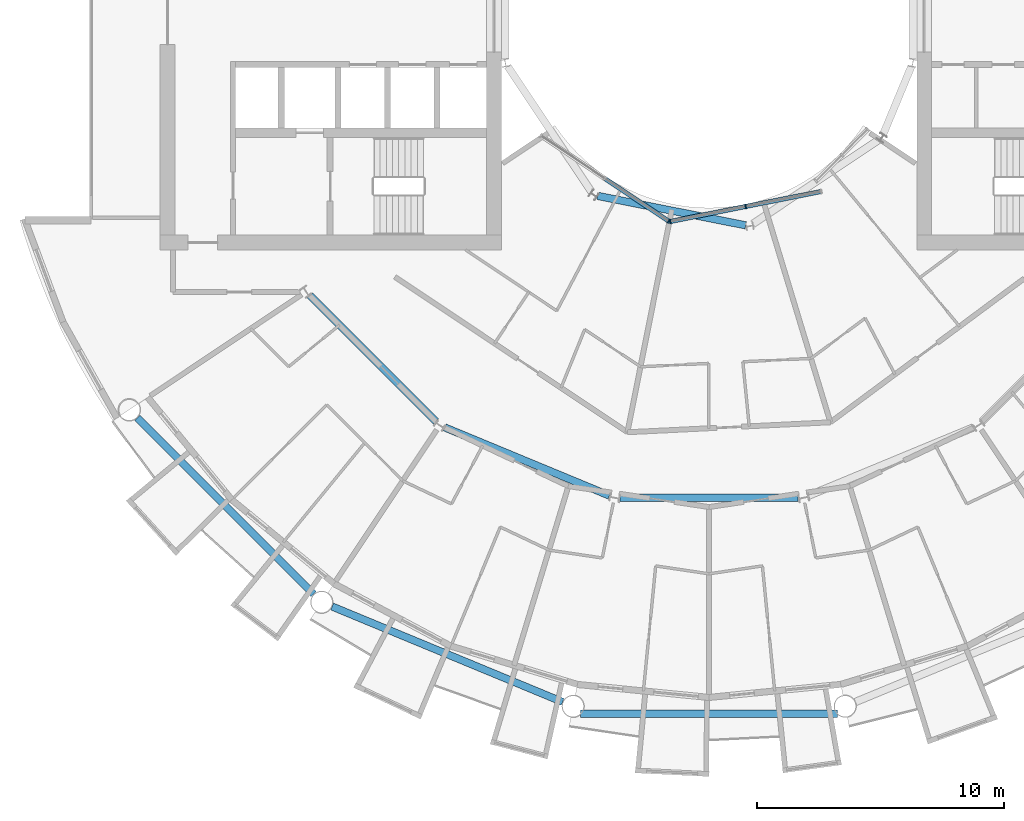
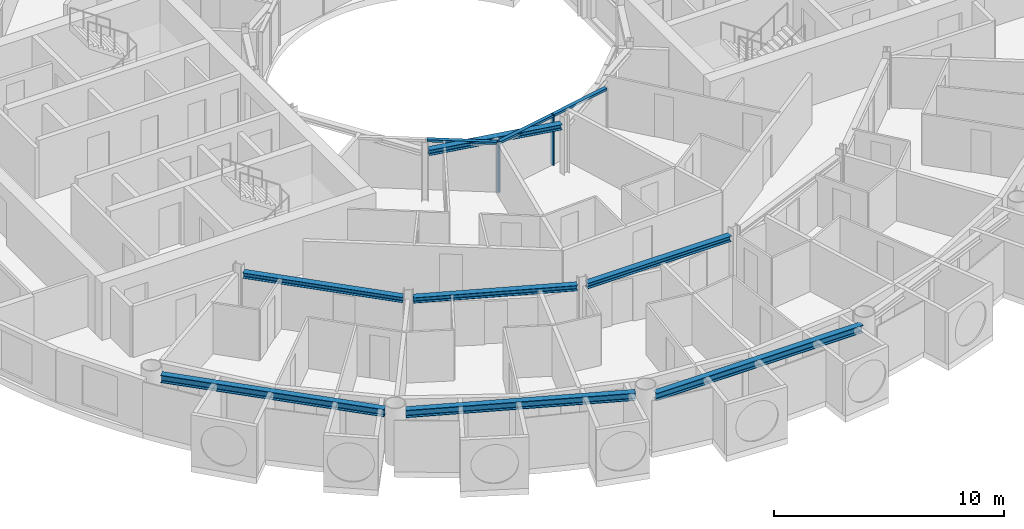
# One storey, part 5 of 26: 7 beams, 6 members, 2 elements without a shape of their own.
"""IFC4 building model written with IfcOpenShell, lengths in metres."""

from ifc_helpers import new_model, si_unit, direction, frame, origin, origin_2d, place, context, subcontext, project, spatial, rectangle, i_section, extrude, material, layer, layer_set, material_profile, profile_set, type_object, element, aggregate, save


model = new_model("IFC4")

# Units and contexts
model_context = context("Model", 3, precision=1e-05, world=origin(), true_north=direction((0.0, 1.0)))
body_context = subcontext(model_context, "Body", "Model", "MODEL_VIEW")
ifc_project = project(units=[si_unit("LENGTHUNIT", "METRE"), si_unit("AREAUNIT", "SQUARE_METRE"), si_unit("VOLUMEUNIT", "CUBIC_METRE"), si_unit("PLANEANGLEUNIT", "RADIAN"), si_unit("MASSUNIT", "GRAM", prefix="KILO")], contexts=[model_context])

# Site, building, storey
site_placement = place(None, origin())
site = spatial("IfcSite", under=ifc_project, at=site_placement, CompositionType="ELEMENT")
building_placement = place(site_placement, origin())
building = spatial("IfcBuilding", under=site, at=building_placement, Name="Maasbend Ring Residences", CompositionType="ELEMENT")
storey_placement = place(building_placement, frame((0.0, 0.0, 123.85009765625)))
storey = spatial("IfcBuildingStorey", under=building, at=storey_placement, Name="L35", CompositionType="ELEMENT", Elevation=123.85009765625)

# Curtain wall, member
ifc_material_1 = material(Name="Aluminium and clear glass", Category="aluminium")
ifc_layer = layer(ifc_material_1, 0.179931640625)
ifc_layer_set = layer_set([ifc_layer], Name="CW-W")
curtain_wall_type = type_object("IfcCurtainWallType", Name="CW-W", PredefinedType="NOTDEFINED", material=ifc_layer_set)
curtain_wall_1_placement = place(storey_placement, origin())
curtain_wall_1 = element("IfcCurtainWall", 1, at=curtain_wall_1_placement, inside=storey, type_object=curtain_wall_type, Name="Well curtain wall S1", PredefinedType="NOTDEFINED")
ifc_material_2 = material(Name="Aluminium 6063-T6", Category="aluminium")
ifc_material_profile_1 = material_profile(ifc_material_2, rectangle(XDim=0.179931640625, YDim=0.06005859375, at=origin_2d()), Name="AL 180x60")
ifc_profile_set_1 = profile_set([ifc_material_profile_1], Name="Aluminium 6063-T6")
member_type_1 = type_object("IfcMemberType", Name="CWM-W", PredefinedType="MULLION", material=ifc_profile_set_1)
member_1_placement = place(storey_placement, frame((-1.627685546875, -8.040771484375, 0.0), z_axis=(0.0, 0.0, 1.0), x_axis=(0.55557023302, 0.831469612303, 0.0)))
member_1 = element("IfcMember", 2, at=member_1_placement, type_object=member_type_1, Name="Mullion well face", PredefinedType="MULLION", context=body_context, shape_type="SweptSolid", body=[
    extrude(rectangle(XDim=0.179931640625, YDim=0.06005859375, at=origin_2d()), origin(), (0.0, 0.0, 1.0), 2.699951171875),
])

# Curtain wall, members
curtain_wall_2_placement = place(storey_placement, origin())
curtain_wall_2 = element("IfcCurtainWall", 3, at=curtain_wall_2_placement, inside=storey, type_object=curtain_wall_type, Name="Well curtain wall S2", PredefinedType="NOTDEFINED")
member_2_placement = place(storey_placement, frame((-1.5732421875, -8.0517578125, 0.0), z_axis=(0.0, 0.0, 1.0), x_axis=(-0.195090322016, 0.980785280403, 0.0)))
member_2 = element("IfcMember", 4, at=member_2_placement, type_object=member_type_1, Name="Mullion well face", PredefinedType="MULLION", context=body_context, shape_type="SweptSolid", body=[
    extrude(rectangle(XDim=0.179931640625, YDim=0.06005859375, at=origin_2d()), origin(), (0.0, 0.0, 1.0), 2.699951171875),
])
member_3_placement = place(storey_placement, frame((1.480712890625, -7.444091796875, 0.0), z_axis=(0.0, 0.0, 1.0), x_axis=(-0.195090322016, 0.980785280403, 0.0)))
member_3 = element("IfcMember", 5, at=member_3_placement, type_object=member_type_1, Name="Mullion well face", PredefinedType="MULLION", context=body_context, shape_type="SweptSolid", body=[
    extrude(rectangle(XDim=0.179931640625, YDim=0.06005859375, at=origin_2d()), origin(), (0.0, 0.0, 1.0), 2.699951171875),
])

# Member
ifc_material_3 = material(Name="Aluminium 6063-T6", Category="aluminium")
ifc_material_profile_2 = material_profile(ifc_material_3, rectangle(XDim=0.179931640625, YDim=0.1201171875, at=origin_2d()), Name="AL 180x120")
ifc_profile_set_2 = profile_set([ifc_material_profile_2], Name="Aluminium 6063-T6")
member_type_2 = type_object("IfcMemberType", Name="CWT-W", PredefinedType="USERDEFINED", material=ifc_profile_set_2)
member_4_placement = place(storey_placement, frame((-4.19189453125, -6.32763671875, 2.639892578125), z_axis=(0.831496422459, -0.555530106689, 0.0), x_axis=(0.555530106689, 0.831496422459, 0.0)))
member_4 = element("IfcMember", 6, at=member_4_placement, type_object=member_type_2, Name="Transom well face", ObjectType="TRANSOM", PredefinedType="USERDEFINED", context=body_context, shape_type="SweptSolid", body=[
    extrude(rectangle(XDim=0.179931640625, YDim=0.1201171875, at=origin_2d()), origin(), (0.0, 0.0, 1.0), 3.053955078125),
])

aggregate(curtain_wall_1, [member_1, member_4])

member_5_placement = place(storey_placement, frame((-1.5439453125, -8.0458984375, 2.639892578125), z_axis=(0.980776956105, 0.195132166424, 0.0), x_axis=(-0.195132166424, 0.980776956105, 0.0)))
member_5 = element("IfcMember", 7, at=member_5_placement, type_object=member_type_2, Name="Transom well face", ObjectType="TRANSOM", PredefinedType="USERDEFINED", context=body_context, shape_type="SweptSolid", body=[
    extrude(rectangle(XDim=0.179931640625, YDim=0.1201171875, at=origin_2d()), origin(), (0.0, 0.0, 1.0), 3.053955078125),
])

member_6_placement = place(storey_placement, frame((1.51025390625, -7.438232421875, 2.639892578125), z_axis=(0.980789210404, 0.19507056353, 0.0), x_axis=(-0.19507056353, 0.980789210404, 0.0)))
member_6 = element("IfcMember", 8, at=member_6_placement, type_object=member_type_2, Name="Transom well face", ObjectType="TRANSOM", PredefinedType="USERDEFINED", context=body_context, shape_type="SweptSolid", body=[
    extrude(rectangle(XDim=0.179931640625, YDim=0.1201171875, at=origin_2d()), origin(), (0.0, 0.0, 1.0), 3.0537109375),
])

aggregate(curtain_wall_2, [member_2, member_3, member_5, member_6])

# Beams
ifc_material_4 = material(Name="Steel S355J2", Category="steel")
ifc_material_profile_3 = material_profile(ifc_material_4, i_section(OverallWidth=0.300048828125, OverallDepth=0.2900390625, WebThickness=0.008544921875, FlangeThickness=0.013916015625, FilletRadius=0.027099609375, at=origin_2d()), Name="HEA 300")
ifc_profile_set_3 = profile_set([ifc_material_profile_3], Name="Steel S355J2")
beam_type_1 = type_object("IfcBeamType", Name="Corridor ring beam HEA 300", PredefinedType="BEAM", material=ifc_profile_set_3)
for number, where, z_axis, x_axis, name in (
    (9, (-16.14111328125, -11.044921875, 2.554931640625), (0.707106781187, -0.707106781187, 0.0), (0.707106781187, 0.707106781187, 0.0), "Corridor ring beam"),
    (10, (-10.685791015625, -16.381103515625, 2.554931640625), (0.923877693919, -0.382687871089, 0.0), (0.382687871089, 0.923877693919, 0.0), "Corridor ring beam"),
    (11, (-3.603515625, -19.223388671875, 2.554931640625), (1.0, 0.0, 0.0), (0.0, 1.0, 0.0), "Corridor ring beam"),
):
    element("IfcBeam", number, at=place(storey_placement, frame(where, z_axis=z_axis, x_axis=x_axis)), inside=storey, type_object=beam_type_1, Name=name, PredefinedType="BEAM", context=body_context, shape_type="SweptSolid", body=[
        extrude(i_section(OverallWidth=0.300048828125, OverallDepth=0.2900390625, WebThickness=0.008544921875, FlangeThickness=0.013916015625, FilletRadius=0.027099609375, at=origin_2d()), origin(), (0.0, 0.0, 1.0), 7.20703125),
    ])
ifc_material_5 = material(Name="Steel S355J2", Category="steel")
ifc_material_profile_4 = material_profile(ifc_material_5, i_section(OverallWidth=0.300048828125, OverallDepth=0.39990234375, WebThickness=0.013427734375, FlangeThickness=0.02392578125, FilletRadius=0.027099609375, at=origin_2d()), Name="HEB 400")
ifc_profile_set_4 = profile_set([ifc_material_profile_4], Name="Steel S355J2")
beam_type_2 = type_object("IfcBeamType", Name="Spandrel ring beam HEB 400", PredefinedType="SPANDREL", material=ifc_profile_set_4)
for number, where, z_axis, x_axis, name in (
    (12, (-23.124267578125, -15.990234375, 2.5), (0.707106781187, -0.707106781187, 0.0), (0.707106781187, 0.707106781187, 0.0), "Spandrel ring beam"),
    (13, (-15.244873046875, -23.622314453125, 2.5), (0.92388529709, -0.382669515144, 0.0), (0.382669515144, 0.92388529709, 0.0), "Spandrel ring beam"),
):
    element("IfcBeam", number, at=place(storey_placement, frame(where, z_axis=z_axis, x_axis=x_axis)), inside=storey, type_object=beam_type_2, Name=name, PredefinedType="SPANDREL", context=body_context, shape_type="SweptSolid", body=[
        extrude(i_section(OverallWidth=0.300048828125, OverallDepth=0.39990234375, WebThickness=0.013427734375, FlangeThickness=0.02392578125, FilletRadius=0.027099609375, at=origin_2d()), origin(), (0.0, 0.0, 1.0), 10.089111328125),
    ])
beam_1_placement = place(storey_placement, frame((-5.194580078125, -27.9580078125, 2.5), z_axis=(1.0, 0.0, 0.0), x_axis=(0.0, 1.0, 0.0)))
element("IfcBeam", 14, at=beam_1_placement, inside=storey, type_object=beam_type_2, Name="Spandrel ring beam", PredefinedType="SPANDREL", context=body_context, shape_type="SweptSolid", body=[
    extrude(i_section(OverallWidth=0.300048828125, OverallDepth=0.39990234375, WebThickness=0.013427734375, FlangeThickness=0.02392578125, FilletRadius=0.027099609375, at=origin_2d()), origin(), (0.0, 0.0, 1.0), 10.38916015625),
])
ifc_material_6 = material(Name="Steel S355J2", Category="steel")
ifc_material_profile_5 = material_profile(ifc_material_6, i_section(OverallWidth=0.300048828125, OverallDepth=0.2900390625, WebThickness=0.008544921875, FlangeThickness=0.013916015625, FilletRadius=0.027099609375, at=origin_2d()), Name="HEA 300")
ifc_profile_set_5 = profile_set([ifc_material_profile_5], Name="Steel S355J2")
beam_type_3 = type_object("IfcBeamType", Name="Well edge beam HEA 300", PredefinedType="BEAM", material=ifc_profile_set_5)
beam_2_placement = place(storey_placement, frame((-4.507568359375, -7.01611328125, 2.554931640625), z_axis=(0.980792381321, -0.195054619896, 0.0), x_axis=(0.195054619896, 0.980792381321, 0.0)))
element("IfcBeam", 15, at=beam_2_placement, inside=storey, type_object=beam_type_3, Name="Well edge beam", PredefinedType="BEAM", context=body_context, shape_type="SweptSolid", body=[
    extrude(i_section(OverallWidth=0.300048828125, OverallDepth=0.2900390625, WebThickness=0.008544921875, FlangeThickness=0.013916015625, FilletRadius=0.027099609375, at=origin_2d()), origin(), (0.0, 0.0, 1.0), 6.104248046875),
])

save(model, "model.ifc")
